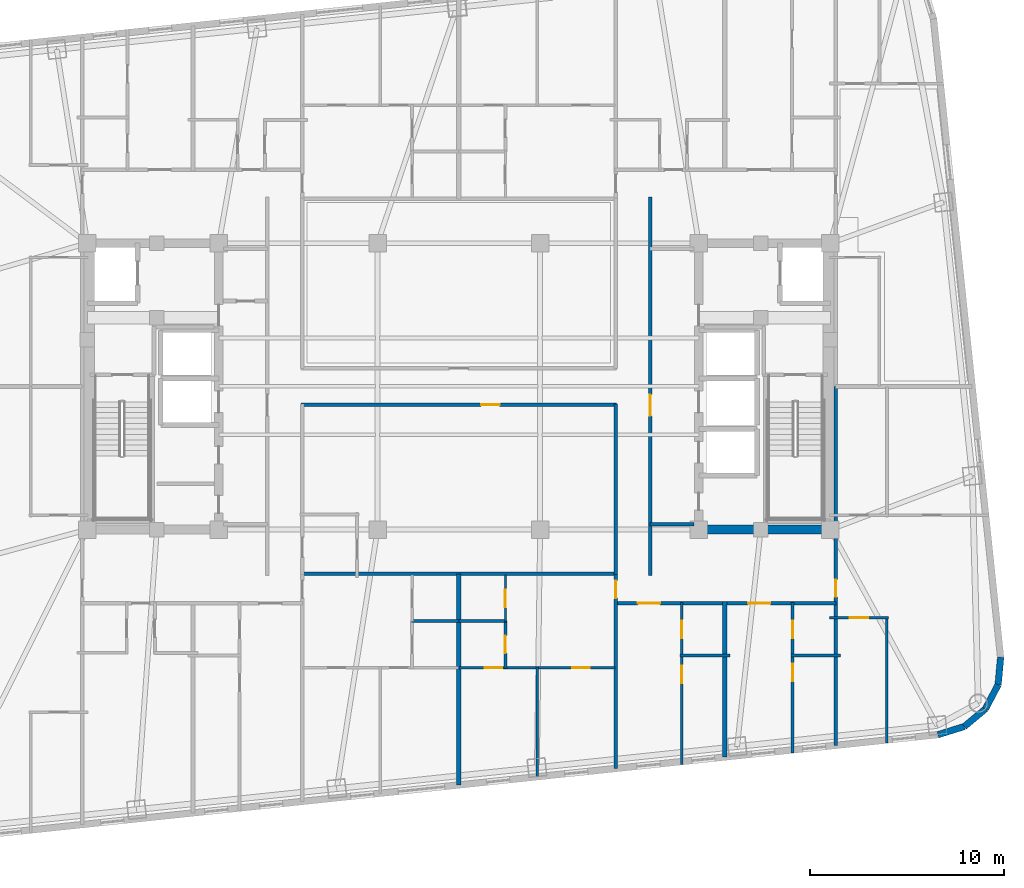
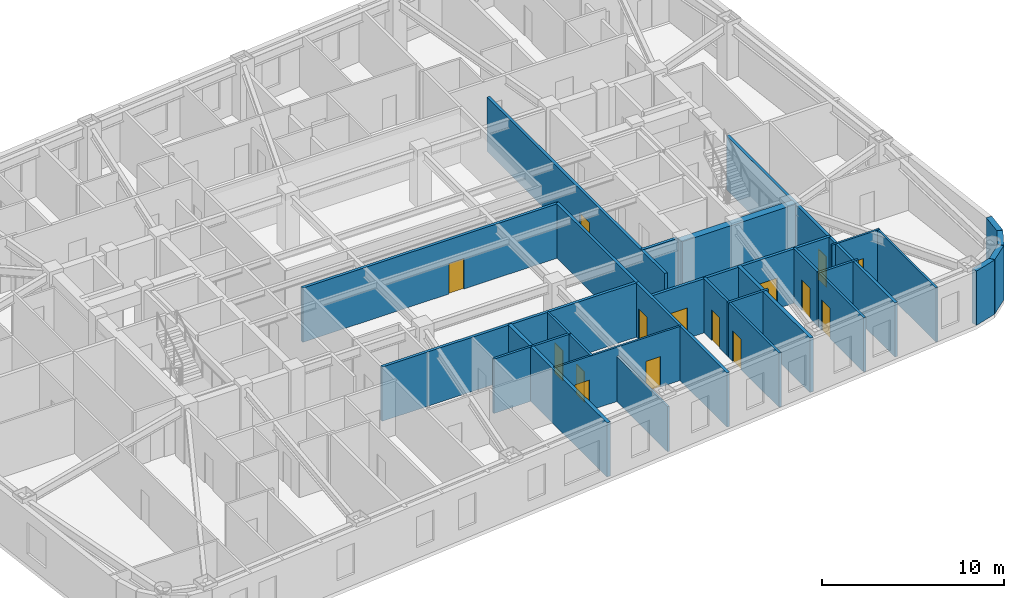
# One storey, part 5 of 11: 29 walls, 15 doors, 15 openings.
"""IFC4 building model written with IfcOpenShell, lengths in metres."""

import ifcopenshell
import ifcopenshell.guid

model = None  # the IFC model being written
_history = None  # IfcOwnerHistory: only IFC2X3 demands one
_inside = {}  # id of a spatial element -> (the spatial element, [elements in it])
_under = {}  # id of a project, library or spatial element -> (it, [spatial elements below it])
_declared = {}  # id of a project -> (the project, [libraries it declares])
_typed = {}  # id of a type object -> (the type object, [elements of that type])
_made_of = {}  # id of a material, layer set ... -> (it, [elements and type objects made of it])


def new_model(schema):
    """Start an empty IFC model of exactly this schema.

    Asked for "IFC4X3", IfcOpenShell would pick the latest addendum, in which some entities
    have other attributes; the version numbers below select the first issue.
    IFC2X3 requires an IfcOwnerHistory on every rooted entity: one is made here for all.
    """
    global model, _history
    if schema == "IFC4X3":
        model = ifcopenshell.file(schema_version=(4, 3, 0, 0))
    else:
        model = ifcopenshell.file(schema=schema)
    _inside.clear()
    _under.clear()
    _declared.clear()
    _typed.clear()
    _made_of.clear()
    _history = None
    if model.schema == "IFC2X3":
        org = make("IfcOrganization", Name="unknown")
        user = make(
            "IfcPersonAndOrganization",
            ThePerson=make("IfcPerson", FamilyName="unknown"),
            TheOrganization=org,
        )
        app = make(
            "IfcApplication",
            ApplicationDeveloper=org,
            Version="unknown",
            ApplicationFullName="unknown",
            ApplicationIdentifier="unknown",
        )
        _history = make(
            "IfcOwnerHistory",
            OwningUser=user,
            OwningApplication=app,
            ChangeAction="ADDED",
            CreationDate=0,
        )
    return model


def make(cls, **values):
    """One entity of the class cls with the attributes given. An attribute that is None is left unset."""
    return model.create_entity(
        cls, **{name: value for name, value in values.items() if value is not None}
    )


def rooted(cls, **values):
    """An entity with a GlobalId (a new one), such as an element, a storey or a relation."""
    return make(cls, GlobalId=ifcopenshell.guid.new(), OwnerHistory=_history, **values)


def si_unit(unit_type, name, prefix=None):
    """IfcSIUnit, for example si_unit("LENGTHUNIT", "METRE", prefix="MILLI")."""
    return make("IfcSIUnit", UnitType=unit_type, Prefix=prefix, Name=name)


def assignment(units):
    """IfcUnitAssignment: the units of a project."""
    return None if units is None else make("IfcUnitAssignment", Units=units)


def point(xyz):
    """IfcCartesianPoint."""
    return None if xyz is None else make("IfcCartesianPoint", Coordinates=xyz)


def direction(xyz):
    """IfcDirection."""
    return None if xyz is None else make("IfcDirection", DirectionRatios=xyz)


def frame(location, z_axis=None, x_axis=None):
    """IfcAxis2Placement3D, a coordinate frame: its origin and axes. An axis left out is left unset."""
    return make(
        "IfcAxis2Placement3D",
        Location=point(location),
        Axis=direction(z_axis),
        RefDirection=direction(x_axis),
    )


def frame_2d(location, x_axis=None):
    """IfcAxis2Placement2D, a coordinate frame in the plane: its origin and x axis."""
    return make(
        "IfcAxis2Placement2D", Location=point(location), RefDirection=direction(x_axis)
    )


def origin():
    """The frame at (0, 0, 0) with its axes left unset."""
    return frame((0.0, 0.0, 0.0))


def place(relative_to, where):
    """IfcLocalPlacement: puts the frame where relative to a parent placement (None: the world)."""
    return make(
        "IfcLocalPlacement", PlacementRelTo=relative_to, RelativePlacement=where
    )


def context(
    kind, dimensions, precision=None, world=None, true_north=None, identifier=None
):
    """IfcGeometricRepresentationContext, for example the 3D "Model" context."""
    return make(
        "IfcGeometricRepresentationContext",
        ContextIdentifier=identifier,
        ContextType=kind,
        CoordinateSpaceDimension=dimensions,
        Precision=precision,
        WorldCoordinateSystem=world,
        TrueNorth=true_north,
    )


def subcontext(parent, identifier, kind, view, scale=None):
    """IfcGeometricRepresentationSubContext, for example "Body" below "Model"."""
    return make(
        "IfcGeometricRepresentationSubContext",
        ContextIdentifier=identifier,
        ContextType=kind,
        ParentContext=parent,
        TargetScale=scale,
        TargetView=view,
    )


def project(units=None, contexts=None):
    """IfcProject with its units and contexts."""
    return rooted(
        "IfcProject",
        Name="project",
        RepresentationContexts=contexts,
        UnitsInContext=assignment(units),
    )


def spatial(cls, under=None, at=None, **own):
    """A site, building, storey or space (cls), placed at a placement, below another one or the project."""
    s = rooted(cls, ObjectPlacement=at, **own)
    if under is not None:
        _under.setdefault(under.id(), (under, []))[1].append(s)
    return s


def profile(cls, at=None, kind="AREA", **sizes):
    """A parametric profile (cls). Its sizes go by their IFC names, for example OverallWidth=200.0."""
    return make(cls, ProfileType=kind, Position=at, **sizes)


def rectangle(**sizes):
    """IfcRectangleProfileDef."""
    return profile("IfcRectangleProfileDef", **sizes)


def extrude(swept, where, along, depth):
    """IfcExtrudedAreaSolid: the profile swept, set in the frame where, extruded along a direction by depth."""
    return make(
        "IfcExtrudedAreaSolid",
        SweptArea=swept,
        Position=where,
        ExtrudedDirection=direction(along),
        Depth=depth,
    )


def shape(context_of_items, identifier, shape_type, items):
    """IfcShapeRepresentation: the items that make up one representation, for example the "Body"."""
    return make(
        "IfcShapeRepresentation",
        ContextOfItems=context_of_items,
        RepresentationIdentifier=identifier,
        RepresentationType=shape_type,
        Items=items,
    )


def material(Name=None, Category=None):
    """IfcMaterial."""
    return make("IfcMaterial", Name=Name, Category=Category)


def layer(
    of_material, thickness, ventilated=None, Name=None, Category=None, Priority=None
):
    """IfcMaterialLayer: one layer of a wall or slab, of a material (None: an air gap)."""
    return make(
        "IfcMaterialLayer",
        Material=of_material,
        LayerThickness=thickness,
        IsVentilated=ventilated,
        Name=Name,
        Category=Category,
        Priority=Priority,
    )


def layer_set(layers, Name=None):
    """IfcMaterialLayerSet."""
    return make("IfcMaterialLayerSet", MaterialLayers=layers, LayerSetName=Name)


def made_of(thing, what):
    """Note that an element or type object is made of a material, layer set ...; save() writes the relation."""
    if what is not None:
        _made_of.setdefault(what.id(), (what, []))[1].append(thing)
    return thing


def type_object(cls, material=None, **own):
    """A type object (cls), such as IfcWallType, which elements share."""
    return made_of(rooted(cls, **own), material)


def element(
    cls,
    number,
    at=None,
    inside=None,
    cuts=None,
    type_object=None,
    material=None,
    context=None,
    identifier="Body",
    shape_type=None,
    held_by="IfcProductDefinitionShape",
    body=None,
    shapes=None,
    **own,
):
    """One element of the class cls, such as IfcWall. Its Tag is "e" and its number.

    at: its placement. inside: the storey or other place that contains it. cuts: it is an
    opening in that element (IfcRelVoidsElement). A single representation is given by context,
    identifier, shape_type and body (its items); several are given by shapes. held_by: the class
    of the entity that holds the representations. save() writes the other relations.
    """
    e = rooted(cls, Tag="e%d" % number, ObjectPlacement=at, **own)
    if body is not None:
        shapes = [shape(context, identifier, shape_type, body)]
    if shapes is not None:
        e.Representation = make(held_by, Representations=shapes)
    if inside is not None:
        _inside.setdefault(inside.id(), (inside, []))[1].append(e)
    if cuts is not None:
        rooted(
            "IfcRelVoidsElement", RelatingBuildingElement=cuts, RelatedOpeningElement=e
        )
    if type_object is not None:
        _typed.setdefault(type_object.id(), (type_object, []))[1].append(e)
    return made_of(e, material)


def fill(opening, filler):
    """IfcRelFillsElement: the door or window that sits in an opening."""
    return rooted(
        "IfcRelFillsElement",
        RelatingOpeningElement=opening,
        RelatedBuildingElement=filler,
    )


def aggregate(whole, parts):
    """IfcRelAggregates: a whole, such as a stair, and the parts it consists of."""
    return rooted("IfcRelAggregates", RelatingObject=whole, RelatedObjects=parts)


def save(model, path):
    """Write the relations noted so far, then the file.

    IfcRelAggregates (storeys below a building ...), IfcRelContainedInSpatialStructure (elements
    in a storey), IfcRelDefinesByType, IfcRelAssociatesMaterial and IfcRelDeclares: one each for
    every whole, place, type object, material and project.
    """
    for whole, parts in _under.values():
        aggregate(whole, parts)
    for where, things in _inside.values():
        rooted(
            "IfcRelContainedInSpatialStructure",
            RelatedElements=things,
            RelatingStructure=where,
        )
    for kind, things in _typed.values():
        rooted("IfcRelDefinesByType", RelatedObjects=things, RelatingType=kind)
    for what, things in _made_of.values():
        rooted("IfcRelAssociatesMaterial", RelatedObjects=things, RelatingMaterial=what)
    for by, libraries in _declared.values():
        rooted("IfcRelDeclares", RelatingContext=by, RelatedDefinitions=libraries)
    model.write(path)


model = new_model("IFC4")

# Units and contexts
model_context = context("Model", 3, precision=1e-05, world=origin(), true_north=direction((0.0, 1.0)))
body_context = subcontext(model_context, "Body", "Model", "MODEL_VIEW")
ifc_project = project(units=[si_unit("LENGTHUNIT", "METRE"), si_unit("AREAUNIT", "SQUARE_METRE"), si_unit("VOLUMEUNIT", "CUBIC_METRE"), si_unit("PLANEANGLEUNIT", "RADIAN"), si_unit("MASSUNIT", "GRAM", prefix="KILO")], contexts=[model_context])

# Site, building, storey
site_placement = place(None, origin())
site = spatial("IfcSite", under=ifc_project, at=site_placement, CompositionType="ELEMENT")
building_placement = place(site_placement, origin())
building = spatial("IfcBuilding", under=site, at=building_placement, Name="Voryun Gate Residences", CompositionType="ELEMENT")
storey_placement = place(building_placement, frame((0.0, 0.0, 183.300048828125)))
storey = spatial("IfcBuildingStorey", under=building, at=storey_placement, Name="L45", CompositionType="ELEMENT", Elevation=183.300048828125)

# Walls
ifc_material_1 = material(Name="Concrete C50/60", Category="concrete")
ifc_layer_1 = layer(ifc_material_1, 0.449951171875, Name="CW_CORE_450")
ifc_layer_set_1 = layer_set([ifc_layer_1], Name="Concrete C50/60")
wall_type_1 = type_object("IfcWallType", Name="CW_CORE_450", PredefinedType="SHEAR", material=ifc_layer_set_1)
wall_1_placement = place(storey_placement, frame((12.175048828125, -7.39990234375, 0.0), z_axis=(0.0, 0.0, 1.0), x_axis=(1.0, 0.0, 0.0)))
element("IfcWall", 1, at=wall_1_placement, inside=storey, type_object=wall_type_1, Name="L45 Core shear wall CW-L45-ES", PredefinedType="SHEAR", context=body_context, shape_type="SweptSolid", body=[
    extrude(rectangle(XDim=7.25, YDim=0.449951171875, at=frame_2d((3.625, 0.0))), origin(), (0.0, 0.0, 1.0), 3.64990234375),
])
ifc_material_2 = material(Name="Gypsum acoustic fireboard")
ifc_layer_2 = layer(ifc_material_2, 0.179931640625, Name="W_CORR_RATED_180")
ifc_layer_set_2 = layer_set([ifc_layer_2], Name="Gypsum acoustic fireboard")
wall_type_2 = type_object("IfcWallType", Name="W_CORR_RATED_180", PredefinedType="PARTITIONING", material=ifc_layer_set_2)
wall_2_placement = place(storey_placement, frame((9.8798828125, -7.1201171875, 0.0), z_axis=(0.0, 0.0, 1.0), x_axis=(1.0, 0.0, 0.0)))
element("IfcWall", 2, at=wall_2_placement, inside=storey, type_object=wall_type_2, Name="Partition wall WP-L45-PLBS-E", PredefinedType="PARTITIONING", context=body_context, shape_type="SweptSolid", body=[
    extrude(rectangle(XDim=2.27001953125, YDim=0.179931640625, at=frame_2d((1.135009765625, 0.0))), origin(), (0.0, 0.0, 1.0), 3.64990234375),
])

# Wall, opening, door
wall_3_placement = place(storey_placement, frame((9.89990234375, -9.780029296875, 0.0), z_axis=(0.0, 0.0, 1.0), x_axis=(0.0, 1.0, 0.0)))
wall_3 = element("IfcWall", 3, at=wall_3_placement, inside=storey, type_object=wall_type_2, Name="Partition wall WP-L45-PLBE-FULL", PredefinedType="PARTITIONING", context=body_context, shape_type="SweptSolid", body=[
    extrude(rectangle(XDim=19.56005859375, YDim=0.179931640625, at=frame_2d((9.780029296875, 0.0))), origin(), (0.0, 0.0, 1.0), 3.64990234375),
])
opening_1_placement = place(wall_3_placement, frame((8.251953125, 0.0, 0.0)))
opening_1 = element("IfcOpeningElement", 4, at=opening_1_placement, cuts=wall_3, Name="Opening D-FD60-2", PredefinedType="OPENING", context=body_context, shape_type="SweptSolid", body=[
    extrude(rectangle(XDim=1.10009765625, YDim=2.050048828125, at=frame_2d((0.550048828125, 1.02490234375))), frame((0.0, 0.099853515625, 0.0), z_axis=(0.0, -1.0, 0.0), x_axis=(1.0, 0.0, 0.0)), (0.0, 0.0, 1.0), 0.199951171875),
])
ifc_material_3 = material(Name="Painted steel fire door", Category="steel")
door_type_1 = type_object("IfcDoorType", Name="DR_FD60_FFLOB_1100", OperationType="NOTDEFINED", PredefinedType="DOOR", material=ifc_material_3)
door_1_placement = place(opening_1_placement, origin())
door_1 = element("IfcDoor", 5, at=door_1_placement, inside=storey, type_object=door_type_1, Name="Door DR-L45-PLBE-COR", OperationType="SINGLE_SWING_RIGHT", OverallHeight=2.050048828125, OverallWidth=1.10009765625, PredefinedType="DOOR", context=body_context, shape_type="SweptSolid", body=[
    extrude(rectangle(XDim=1.10009765625, YDim=2.050048828125, at=frame_2d((0.550048828125, 1.02490234375))), frame((0.0, 0.02490234375, 0.0), z_axis=(0.0, -1.0, 0.0), x_axis=(1.0, 0.0, 0.0)), (0.0, 0.0, 1.0), 0.050048828125),
])
fill(opening_1, door_1)

# Wall
wall_4_placement = place(storey_placement, frame((-8.14990234375, -9.68994140625, 0.0), z_axis=(0.0, 0.0, 1.0), x_axis=(1.0, 0.0, 0.0)))
element("IfcWall", 6, at=wall_4_placement, inside=storey, type_object=wall_type_2, Name="Partition wall WP-L45-Z2S", PredefinedType="PARTITIONING", context=body_context, shape_type="SweptSolid", body=[
    extrude(rectangle(XDim=16.2998046875, YDim=0.179931640625, at=frame_2d((8.14990234375, 0.0))), origin(), (0.0, 0.0, 1.0), 3.64990234375),
])

# Wall, opening, door
wall_5_placement = place(storey_placement, frame((-8.14990234375, -0.93994140625, 0.0), z_axis=(0.0, 0.0, 1.0), x_axis=(1.0, 0.0, 0.0)))
wall_5 = element("IfcWall", 7, at=wall_5_placement, inside=storey, type_object=wall_type_2, Name="Partition wall WP-L45-Z2HS", PredefinedType="PARTITIONING", context=body_context, shape_type="SweptSolid", body=[
    extrude(rectangle(XDim=16.2998046875, YDim=0.179931640625, at=frame_2d((8.14990234375, 0.0))), origin(), (0.0, 0.0, 1.0), 3.64990234375),
])
opening_2_placement = place(wall_5_placement, frame((9.304931640625, 0.0, 0.0)))
opening_2 = element("IfcOpeningElement", 8, at=opening_2_placement, cuts=wall_5, Name="Opening D-INT-1", PredefinedType="OPENING", context=body_context, shape_type="SweptSolid", body=[
    extrude(rectangle(XDim=0.949951171875, YDim=2.050048828125, at=frame_2d((0.47509765625, 1.02490234375))), frame((0.0, 0.099853515625, 0.0), z_axis=(0.0, -1.0, 0.0), x_axis=(1.0, 0.0, 0.0)), (0.0, 0.0, 1.0), 0.199951171875),
])
ifc_material_4 = material(Name="Architectural oak veneer")
door_type_2 = type_object("IfcDoorType", Name="DR_INT_ROOM_950", OperationType="NOTDEFINED", PredefinedType="DOOR", material=ifc_material_4)
door_2_placement = place(opening_2_placement, origin())
door_2 = element("IfcDoor", 9, at=door_2_placement, inside=storey, type_object=door_type_2, Name="Door DR-L45-Z2SH", OperationType="SINGLE_SWING_RIGHT", OverallHeight=2.050048828125, OverallWidth=0.949951171875, PredefinedType="DOOR", context=body_context, shape_type="SweptSolid", body=[
    extrude(rectangle(XDim=0.949951171875, YDim=2.050048828125, at=frame_2d((0.47509765625, 1.02490234375))), frame((0.0, 0.02490234375, 0.0), z_axis=(0.0, -1.0, 0.0), x_axis=(1.0, 0.0, 0.0)), (0.0, 0.0, 1.0), 0.050048828125),
])
fill(opening_2, door_2)

# Wall
wall_6_placement = place(storey_placement, frame((8.10009765625, -9.72998046875, 0.0), z_axis=(0.0, 0.0, 1.0), x_axis=(0.0, 1.0, 0.0)))
element("IfcWall", 10, at=wall_6_placement, inside=storey, type_object=wall_type_2, Name="Partition wall WP-L45-Z2ER2", PredefinedType="PARTITIONING", context=body_context, shape_type="SweptSolid", body=[
    extrude(rectangle(XDim=8.81005859375, YDim=0.179931640625, at=frame_2d((4.405029296875, 0.0))), origin(), (0.0, 0.0, 1.0), 3.64990234375),
])

# Wall, openings, doors
wall_7_placement = place(storey_placement, frame((8.080078125, -11.199951171875, 0.0), z_axis=(0.0, 0.0, 1.0), x_axis=(1.0, 0.0, 0.0)))
wall_7 = element("IfcWall", 11, at=wall_7_placement, inside=storey, type_object=wall_type_2, Name="Partition wall WP-L45-SCORR-E", PredefinedType="PARTITIONING", context=body_context, shape_type="SweptSolid", body=[
    extrude(rectangle(XDim=11.419921875, YDim=0.179931640625, at=frame_2d((5.7099609375, 0.0))), origin(), (0.0, 0.0, 1.0), 3.64990234375),
])
opening_3_placement = place(wall_7_placement, frame((1.174560546875, 0.0, 0.0)))
opening_3 = element("IfcOpeningElement", 12, at=opening_3_placement, cuts=wall_7, Name="Opening D-UNIT-1", PredefinedType="OPENING", context=body_context, shape_type="SweptSolid", body=[
    extrude(rectangle(XDim=1.14990234375, YDim=2.050048828125, at=frame_2d((0.574951171875, 1.02490234375))), frame((0.0, 0.099853515625, 0.0), z_axis=(0.0, -1.0, 0.0), x_axis=(1.0, 0.0, 0.0)), (0.0, 0.0, 1.0), 0.199951171875),
])
opening_4_placement = place(wall_7_placement, frame((6.86962890625, 0.0, 0.0)))
opening_4 = element("IfcOpeningElement", 13, at=opening_4_placement, cuts=wall_7, Name="Opening D-UNIT-1", PredefinedType="OPENING", context=body_context, shape_type="SweptSolid", body=[
    extrude(rectangle(XDim=1.14990234375, YDim=2.050048828125, at=frame_2d((0.574951171875, 1.02490234375))), frame((0.0, 0.099853515625, 0.0), z_axis=(0.0, -1.0, 0.0), x_axis=(1.0, 0.0, 0.0)), (0.0, 0.0, 1.0), 0.199951171875),
])
ifc_material_5 = material(Name="Armoured timber-clad fire door", Category="wood")
door_type_3 = type_object("IfcDoorType", Name="DR_UNIT_ENTRY_1150", OperationType="NOTDEFINED", PredefinedType="DOOR", material=ifc_material_5)
door_3_placement = place(opening_3_placement, origin())
door_3 = element("IfcDoor", 14, at=door_3_placement, inside=storey, type_object=door_type_3, Name="Door DR-L45-SENT-4", OperationType="SINGLE_SWING_LEFT", OverallHeight=2.050048828125, OverallWidth=1.14990234375, PredefinedType="DOOR", context=body_context, shape_type="SweptSolid", body=[
    extrude(rectangle(XDim=1.14990234375, YDim=2.050048828125, at=frame_2d((0.574951171875, 1.02490234375))), frame((0.0, 0.02490234375, 0.0), z_axis=(0.0, -1.0, 0.0), x_axis=(1.0, 0.0, 0.0)), (0.0, 0.0, 1.0), 0.050048828125),
])
fill(opening_3, door_3)
door_4_placement = place(opening_4_placement, origin())
door_4 = element("IfcDoor", 15, at=door_4_placement, inside=storey, type_object=door_type_3, Name="Door DR-L45-SENT-5", OperationType="SINGLE_SWING_RIGHT", OverallHeight=2.050048828125, OverallWidth=1.14990234375, PredefinedType="DOOR", context=body_context, shape_type="SweptSolid", body=[
    extrude(rectangle(XDim=1.14990234375, YDim=2.050048828125, at=frame_2d((0.574951171875, 1.02490234375))), frame((0.0, 0.02490234375, 0.0), z_axis=(0.0, -1.0, 0.0), x_axis=(1.0, 0.0, 0.0)), (0.0, 0.0, 1.0), 0.050048828125),
])
fill(opening_4, door_4)

# Wall, opening, door
wall_8_placement = place(storey_placement, frame((8.10009765625, -19.75390625, 0.0), z_axis=(0.0, 0.0, 1.0), x_axis=(0.0, 1.0, 0.0)))
wall_8 = element("IfcWall", 16, at=wall_8_placement, inside=storey, type_object=wall_type_2, Name="Partition wall WP-L45-SZV-2", PredefinedType="PARTITIONING", context=body_context, shape_type="SweptSolid", body=[
    extrude(rectangle(XDim=10.06396484375, YDim=0.179931640625, at=frame_2d((5.031982421875, 0.0))), origin(), (0.0, 0.0, 1.0), 3.64990234375),
])
opening_5_placement = place(wall_8_placement, frame((8.813720703125, 0.0, 0.0)))
opening_5 = element("IfcOpeningElement", 17, at=opening_5_placement, cuts=wall_8, Name="Opening D-INT-2", PredefinedType="OPENING", context=body_context, shape_type="SweptSolid", body=[
    extrude(rectangle(XDim=0.89990234375, YDim=2.050048828125, at=frame_2d((0.449951171875, 1.02490234375))), frame((0.0, 0.099853515625, 0.0), z_axis=(0.0, -1.0, 0.0), x_axis=(1.0, 0.0, 0.0)), (0.0, 0.0, 1.0), 0.199951171875),
])
ifc_material_6 = material(Name="Architectural oak veneer")
door_type_4 = type_object("IfcDoorType", Name="DR_INT_BATH_900", OperationType="NOTDEFINED", PredefinedType="DOOR", material=ifc_material_6)
door_5_placement = place(opening_5_placement, origin())
door_5 = element("IfcDoor", 18, at=door_5_placement, inside=storey, type_object=door_type_4, Name="Door DR-L45-SZENT-2", OperationType="SINGLE_SWING_RIGHT", OverallHeight=2.050048828125, OverallWidth=0.89990234375, PredefinedType="DOOR", context=body_context, shape_type="SweptSolid", body=[
    extrude(rectangle(XDim=0.89990234375, YDim=2.050048828125, at=frame_2d((0.449951171875, 1.02490234375))), frame((0.0, 0.02490234375, 0.0), z_axis=(0.0, -1.0, 0.0), x_axis=(1.0, 0.0, 0.0)), (0.0, 0.0, 1.0), 0.050048828125),
])
fill(opening_5, door_5)

wall_9_placement = place(storey_placement, frame((19.469970703125, -18.55859375, 0.0), z_axis=(0.0, 0.0, 1.0), x_axis=(0.0, 1.0, 0.0)))
wall_9 = element("IfcWall", 19, at=wall_9_placement, inside=storey, type_object=wall_type_2, Name="Partition wall WP-L45-ECOR1", PredefinedType="PARTITIONING", context=body_context, shape_type="SweptSolid", body=[
    extrude(rectangle(XDim=18.55859375, YDim=0.179931640625, at=frame_2d((9.279296875, 0.0))), origin(), (0.0, 0.0, 1.0), 3.64990234375),
])
opening_6_placement = place(wall_9_placement, frame((7.6787109375, 0.0, 0.0)))
opening_6 = element("IfcOpeningElement", 20, at=opening_6_placement, cuts=wall_9, Name="Opening D-INT-2", PredefinedType="OPENING", context=body_context, shape_type="SweptSolid", body=[
    extrude(rectangle(XDim=0.89990234375, YDim=2.050048828125, at=frame_2d((0.449951171875, 1.02490234375))), frame((0.0, 0.099853515625, 0.0), z_axis=(0.0, -1.0, 0.0), x_axis=(1.0, 0.0, 0.0)), (0.0, 0.0, 1.0), 0.199951171875),
])
door_6_placement = place(opening_6_placement, origin())
door_6 = element("IfcDoor", 21, at=door_6_placement, inside=storey, type_object=door_type_4, Name="Door DR-L45-EE1", OperationType="SINGLE_SWING_LEFT", OverallHeight=2.050048828125, OverallWidth=0.89990234375, PredefinedType="DOOR", context=body_context, shape_type="SweptSolid", body=[
    extrude(rectangle(XDim=0.89990234375, YDim=2.050048828125, at=frame_2d((0.449951171875, 1.02490234375))), frame((0.0, 0.02490234375, 0.0), z_axis=(0.0, -1.0, 0.0), x_axis=(1.0, 0.0, 0.0)), (0.0, 0.0, 1.0), 0.050048828125),
])
fill(opening_6, door_6)

# Walls
ifc_material_7 = material(Name="Charcoal terracotta masonry", Category="masonry")
ifc_layer_3 = layer(ifc_material_7, 0.340087890625, Name="W_EXT_TERRACOTTA_340")
ifc_layer_set_3 = layer_set([ifc_layer_3], Name="Charcoal terracotta masonry")
wall_type_3 = type_object("IfcWallType", Name="W_EXT_TERRACOTTA_340", PredefinedType="ELEMENTEDWALL", material=ifc_layer_set_3)
wall_10_placement = place(storey_placement, frame((28.001220703125, -13.9951171875, 0.0), z_axis=(0.0, 0.0, 1.0), x_axis=(-0.091534682358, -0.995801888894, 0.0)))
element("IfcWall", 22, at=wall_10_placement, inside=storey, type_object=wall_type_3, Name="Exterior wall WEXT-L45-17", PredefinedType="ELEMENTEDWALL", context=body_context, shape_type="SweptSolid", body=[
    extrude(rectangle(XDim=1.432373046875, YDim=0.340087890625, at=frame_2d((0.71630859375, 0.0))), origin(), (0.0, 0.0, 1.0), 3.64990234375),
])
for number, where, z_axis, x_axis, name in (
    (23, (27.8701171875, -15.42138671875, 0.0), (0.0, 0.0, 1.0), (-0.465682431293, -0.884951904447, 0.0), "Exterior wall WEXT-L45-18"),
    (24, (27.211181640625, -16.673583984375, 0.0), (0.0, 0.0, 1.0), (-0.768758372808, -0.639539337522, 0.0), "Exterior wall WEXT-L45-19"),
):
    element("IfcWall", number, at=place(storey_placement, frame(where, z_axis=z_axis, x_axis=x_axis)), inside=storey, type_object=wall_type_3, Name=name, PredefinedType="ELEMENTEDWALL", context=body_context, shape_type="SweptSolid", body=[
        extrude(rectangle(XDim=1.4150390625, YDim=0.340087890625, at=frame_2d((0.70751953125, 0.0))), origin(), (0.0, 0.0, 1.0), 3.64990234375),
    ])
wall_11_placement = place(storey_placement, frame((26.123291015625, -17.57861328125, 0.0), z_axis=(0.0, 0.0, 1.0), x_axis=(-0.955042500381, -0.296468923271, 0.0)))
element("IfcWall", 25, at=wall_11_placement, inside=storey, type_object=wall_type_3, Name="Exterior wall WEXT-L45-20", PredefinedType="ELEMENTEDWALL", context=body_context, shape_type="SweptSolid", body=[
    extrude(rectangle(XDim=1.43212890625, YDim=0.340087890625, at=frame_2d((0.716064453125, 0.0))), origin(), (0.0, 0.0, 1.0), 3.64990234375),
])
ifc_material_8 = material(Name="Concrete C40/50", Category="concrete")
ifc_layer_4 = layer(ifc_material_8, 0.219970703125, Name="W_PARTY_ACOUSTIC_220")
ifc_layer_set_4 = layer_set([ifc_layer_4], Name="Concrete C40/50")
wall_type_4 = type_object("IfcWallType", Name="W_PARTY_ACOUSTIC_220", PredefinedType="PARTITIONING", material=ifc_layer_set_4)
wall_12_placement = place(storey_placement, frame((13.739990234375, -19.160888671875, 0.0), z_axis=(0.0, 0.0, 1.0), x_axis=(0.0, 1.0, 0.0)))
element("IfcWall", 26, at=wall_12_placement, inside=storey, type_object=wall_type_4, Name="Partition wall WP-L45-SPTY-4", PredefinedType="PARTITIONING", context=body_context, shape_type="SweptSolid", body=[
    extrude(rectangle(XDim=8.040771484375, YDim=0.219970703125, at=frame_2d((4.0205078125, 0.0))), origin(), (0.0, 0.0, 1.0), 3.64990234375),
])
wall_13_placement = place(storey_placement, frame((0.0, -20.60498046875, 0.0), z_axis=(0.0, 0.0, 1.0), x_axis=(0.0, 1.0, 0.0)))
element("IfcWall", 27, at=wall_13_placement, inside=storey, type_object=wall_type_4, Name="Partition wall WP-L45-SZMID", PredefinedType="PARTITIONING", context=body_context, shape_type="SweptSolid", body=[
    extrude(rectangle(XDim=10.9150390625, YDim=0.219970703125, at=frame_2d((5.45751953125, 0.0))), origin(), (0.0, 0.0, 1.0), 3.64990234375),
])

# Wall, openings, doors
ifc_material_9 = material(Name="Gypsum acoustic partition")
ifc_layer_5 = layer(ifc_material_9, 0.125, Name="W_UNIT_PART_125")
ifc_layer_set_5 = layer_set([ifc_layer_5], Name="Gypsum acoustic partition")
wall_type_5 = type_object("IfcWallType", Name="W_UNIT_PART_125", PredefinedType="PARTITIONING", material=ifc_layer_set_5)
wall_14_placement = place(storey_placement, frame((0.02001953125, -14.530029296875, 0.0), z_axis=(0.0, 0.0, 1.0), x_axis=(1.0, 0.0, 0.0)))
wall_14 = element("IfcWall", 28, at=wall_14_placement, inside=storey, type_object=wall_type_5, Name="Partition wall WP-L45-SC2-HZ", PredefinedType="PARTITIONING", context=body_context, shape_type="SweptSolid", body=[
    extrude(rectangle(XDim=8.06005859375, YDim=0.125, at=frame_2d((4.030029296875, 0.0))), origin(), (0.0, 0.0, 1.0), 3.64990234375),
])
opening_7_placement = place(wall_14_placement, frame((1.3232421875, 0.0, 0.0)))
opening_7 = element("IfcOpeningElement", 29, at=opening_7_placement, cuts=wall_14, Name="Opening D-INT-2", PredefinedType="OPENING", context=body_context, shape_type="SweptSolid", body=[
    extrude(rectangle(XDim=0.89990234375, YDim=2.050048828125, at=frame_2d((0.449951171875, 1.02490234375))), frame((0.0, 0.072509765625, 0.0), z_axis=(0.0, -1.0, 0.0), x_axis=(1.0, 0.0, 0.0)), (0.0, 0.0, 1.0), 0.14501953125),
])
opening_8_placement = place(wall_14_placement, frame((5.8369140625, 0.0, 0.0)))
opening_8 = element("IfcOpeningElement", 30, at=opening_8_placement, cuts=wall_14, Name="Opening D-INT-2", PredefinedType="OPENING", context=body_context, shape_type="SweptSolid", body=[
    extrude(rectangle(XDim=0.89990234375, YDim=2.050048828125, at=frame_2d((0.449951171875, 1.02490234375))), frame((0.0, 0.072509765625, 0.0), z_axis=(0.0, -1.0, 0.0), x_axis=(1.0, 0.0, 0.0)), (0.0, 0.0, 1.0), 0.14501953125),
])
door_7_placement = place(opening_7_placement, origin())
door_7 = element("IfcDoor", 31, at=door_7_placement, inside=storey, type_object=door_type_4, Name="Door DR-L45-SC2-DMB", OperationType="SINGLE_SWING_LEFT", OverallHeight=2.050048828125, OverallWidth=0.89990234375, PredefinedType="DOOR", context=body_context, shape_type="SweptSolid", body=[
    extrude(rectangle(XDim=0.89990234375, YDim=2.050048828125, at=frame_2d((0.449951171875, 1.02490234375))), frame((0.0, 0.02490234375, 0.0), z_axis=(0.0, -1.0, 0.0), x_axis=(1.0, 0.0, 0.0)), (0.0, 0.0, 1.0), 0.050048828125),
])
fill(opening_7, door_7)
door_8_placement = place(opening_8_placement, origin())
door_8 = element("IfcDoor", 32, at=door_8_placement, inside=storey, type_object=door_type_4, Name="Door DR-L45-SC2-DBD2", OperationType="SINGLE_SWING_RIGHT", OverallHeight=2.050048828125, OverallWidth=0.89990234375, PredefinedType="DOOR", context=body_context, shape_type="SweptSolid", body=[
    extrude(rectangle(XDim=0.89990234375, YDim=2.050048828125, at=frame_2d((0.449951171875, 1.02490234375))), frame((0.0, 0.02490234375, 0.0), z_axis=(0.0, -1.0, 0.0), x_axis=(1.0, 0.0, 0.0)), (0.0, 0.0, 1.0), 0.050048828125),
])
fill(opening_8, door_8)

# Wall, opening, door
wall_15_placement = place(storey_placement, frame((2.409912109375, -12.159912109375, 0.0), z_axis=(0.0, 0.0, 1.0), x_axis=(0.0, 1.0, 0.0)))
wall_15 = element("IfcWall", 33, at=wall_15_placement, inside=storey, type_object=wall_type_5, Name="Partition wall WP-L45-SC2-VK1", PredefinedType="PARTITIONING", context=body_context, shape_type="SweptSolid", body=[
    extrude(rectangle(XDim=2.409912109375, YDim=0.125, at=frame_2d((1.205078125, 0.0))), origin(), (0.0, 0.0, 1.0), 3.64990234375),
])
opening_9_placement = place(wall_15_placement, frame((0.7548828125, 0.0, 0.0)))
opening_9 = element("IfcOpeningElement", 34, at=opening_9_placement, cuts=wall_15, Name="Opening D-INT-2", PredefinedType="OPENING", context=body_context, shape_type="SweptSolid", body=[
    extrude(rectangle(XDim=0.89990234375, YDim=2.050048828125, at=frame_2d((0.449951171875, 1.02490234375))), frame((0.0, 0.072509765625, 0.0), z_axis=(0.0, -1.0, 0.0), x_axis=(1.0, 0.0, 0.0)), (0.0, 0.0, 1.0), 0.14501953125),
])
door_9_placement = place(opening_9_placement, origin())
door_9 = element("IfcDoor", 35, at=door_9_placement, inside=storey, type_object=door_type_4, Name="Door DR-L45-SC2-DK", OperationType="SINGLE_SWING_LEFT", OverallHeight=2.050048828125, OverallWidth=0.89990234375, PredefinedType="DOOR", context=body_context, shape_type="SweptSolid", body=[
    extrude(rectangle(XDim=0.89990234375, YDim=2.050048828125, at=frame_2d((0.449951171875, 1.02490234375))), frame((0.0, 0.02490234375, 0.0), z_axis=(0.0, -1.0, 0.0), x_axis=(1.0, 0.0, 0.0)), (0.0, 0.0, 1.0), 0.050048828125),
])
fill(opening_9, door_9)

# Wall
wall_16_placement = place(storey_placement, frame((4.050048828125, -20.179443359375, 0.0), z_axis=(0.0, 0.0, 1.0), x_axis=(0.0, 1.0, 0.0)))
element("IfcWall", 36, at=wall_16_placement, inside=storey, type_object=wall_type_5, Name="Partition wall WP-L45-SC2-VBD", PredefinedType="PARTITIONING", context=body_context, shape_type="SweptSolid", body=[
    extrude(rectangle(XDim=5.689453125, YDim=0.125, at=frame_2d((2.8447265625, 0.0))), origin(), (0.0, 0.0, 1.0), 3.0400390625),
])

# Wall, opening, door
wall_17_placement = place(storey_placement, frame((19.14990234375, -11.966064453125, 0.0), z_axis=(0.0, 0.0, 1.0), x_axis=(1.0, 0.0, 0.0)))
wall_17 = element("IfcWall", 37, at=wall_17_placement, inside=storey, type_object=wall_type_5, Name="Partition wall WP-L45-E1-IKA", PredefinedType="PARTITIONING", context=body_context, shape_type="SweptSolid", body=[
    extrude(rectangle(XDim=3.050048828125, YDim=0.125, at=frame_2d((1.52490234375, 0.0))), origin(), (0.0, 0.0, 1.0), 3.64990234375),
])
opening_10_placement = place(wall_17_placement, frame((1.050048828125, 0.0, 0.0)))
opening_10 = element("IfcOpeningElement", 38, at=opening_10_placement, cuts=wall_17, Name="Opening D-INT-1", PredefinedType="OPENING", context=body_context, shape_type="SweptSolid", body=[
    extrude(rectangle(XDim=0.949951171875, YDim=2.050048828125, at=frame_2d((0.47509765625, 1.02490234375))), frame((0.0, 0.072509765625, 0.0), z_axis=(0.0, -1.0, 0.0), x_axis=(1.0, 0.0, 0.0)), (0.0, 0.0, 1.0), 0.14501953125),
])
door_10_placement = place(opening_10_placement, origin())
door_10 = element("IfcDoor", 39, at=door_10_placement, inside=storey, type_object=door_type_2, Name="Door DR-L45-E1-DK", OperationType="SINGLE_SWING_LEFT", OverallHeight=2.050048828125, OverallWidth=0.949951171875, PredefinedType="DOOR", context=body_context, shape_type="SweptSolid", body=[
    extrude(rectangle(XDim=0.949951171875, YDim=2.050048828125, at=frame_2d((0.47509765625, 1.02490234375))), frame((0.0, 0.02490234375, 0.0), z_axis=(0.0, -1.0, 0.0), x_axis=(1.0, 0.0, 0.0)), (0.0, 0.0, 1.0), 0.050048828125),
])
fill(opening_10, door_10)

# Walls
wall_18_placement = place(storey_placement, frame((22.1201171875, -18.430908203125, 0.0), z_axis=(0.0, 0.0, 1.0), x_axis=(0.0, 1.0, 0.0)))
element("IfcWall", 40, at=wall_18_placement, inside=storey, type_object=wall_type_5, Name="Partition wall WP-L45-E1-VTA", PredefinedType="PARTITIONING", context=body_context, shape_type="SweptSolid", body=[
    extrude(rectangle(XDim=6.544921875, YDim=0.125, at=frame_2d((3.2724609375, 0.0))), origin(), (0.0, 0.0, 1.0), 3.64990234375),
])
ifc_material_10 = material(Name="Gypsum moisture-resistant partition")
ifc_layer_6 = layer(ifc_material_10, 0.14990234375, Name="W_WET_PLUMB_150")
ifc_layer_set_6 = layer_set([ifc_layer_6], Name="Gypsum moisture-resistant partition")
wall_type_6 = type_object("IfcWallType", Name="W_WET_PLUMB_150", PredefinedType="PLUMBINGWALL", material=ifc_layer_set_6)
wall_19_placement = place(storey_placement, frame((11.43896484375, -13.89990234375, 0.0), z_axis=(0.0, 0.0, 1.0), x_axis=(1.0, 0.0, 0.0)))
element("IfcWall", 41, at=wall_19_placement, inside=storey, type_object=wall_type_6, Name="Partition wall WP-L45-S4-SKB", PredefinedType="PLUMBINGWALL", context=body_context, shape_type="SweptSolid", body=[
    extrude(rectangle(XDim=2.56103515625, YDim=0.14990234375, at=frame_2d((1.280517578125, 0.0))), origin(), (0.0, 0.0, 1.0), 3.64990234375),
])

# Wall, opening, door
wall_20_placement = place(storey_placement, frame((11.51904296875, -19.545166015625, 0.0), z_axis=(0.0, 0.0, 1.0), x_axis=(0.0, 1.0, 0.0)))
wall_20 = element("IfcWall", 42, at=wall_20_placement, inside=storey, type_object=wall_type_6, Name="Partition wall WP-L45-S4-SVT1", PredefinedType="PLUMBINGWALL", context=body_context, shape_type="SweptSolid", body=[
    extrude(rectangle(XDim=5.68505859375, YDim=0.14990234375, at=frame_2d((2.842529296875, 0.0))), origin(), (0.0, 0.0, 1.0), 3.64990234375),
])
opening_11_placement = place(wall_20_placement, frame((4.2119140625, 0.0, 0.0)))
opening_11 = element("IfcOpeningElement", 43, at=opening_11_placement, cuts=wall_20, Name="Opening D-INT-2", PredefinedType="OPENING", context=body_context, shape_type="SweptSolid", body=[
    extrude(rectangle(XDim=0.89990234375, YDim=2.050048828125, at=frame_2d((0.449951171875, 1.02490234375))), frame((0.0, 0.0849609375, 0.0), z_axis=(0.0, -1.0, 0.0), x_axis=(1.0, 0.0, 0.0)), (0.0, 0.0, 1.0), 0.169921875),
])
door_11_placement = place(opening_11_placement, origin())
door_11 = element("IfcDoor", 44, at=door_11_placement, inside=storey, type_object=door_type_4, Name="Door DR-L45-S4-DK", OperationType="SINGLE_SWING_LEFT", OverallHeight=2.050048828125, OverallWidth=0.89990234375, PredefinedType="DOOR", context=body_context, shape_type="SweptSolid", body=[
    extrude(rectangle(XDim=0.89990234375, YDim=2.050048828125, at=frame_2d((0.449951171875, 1.02490234375))), frame((0.0, 0.02490234375, 0.0), z_axis=(0.0, -1.0, 0.0), x_axis=(1.0, 0.0, 0.0)), (0.0, 0.0, 1.0), 0.050048828125),
])
fill(opening_11, door_11)

wall_21_placement = place(storey_placement, frame((11.51904296875, -13.93994140625, 0.0), z_axis=(0.0, 0.0, 1.0), x_axis=(0.0, 1.0, 0.0)))
wall_21 = element("IfcWall", 45, at=wall_21_placement, inside=storey, type_object=wall_type_6, Name="Partition wall WP-L45-S4-SVT2", PredefinedType="PLUMBINGWALL", context=body_context, shape_type="SweptSolid", body=[
    extrude(rectangle(XDim=2.760009765625, YDim=0.14990234375, at=frame_2d((1.3798828125, 0.0))), origin(), (0.0, 0.0, 1.0), 3.64990234375),
])
opening_12_placement = place(wall_21_placement, frame((0.929931640625, 0.0, 0.0)))
opening_12 = element("IfcOpeningElement", 46, at=opening_12_placement, cuts=wall_21, Name="Opening D-INT-2", PredefinedType="OPENING", context=body_context, shape_type="SweptSolid", body=[
    extrude(rectangle(XDim=0.89990234375, YDim=2.050048828125, at=frame_2d((0.449951171875, 1.02490234375))), frame((0.0, 0.0849609375, 0.0), z_axis=(0.0, -1.0, 0.0), x_axis=(1.0, 0.0, 0.0)), (0.0, 0.0, 1.0), 0.169921875),
])
door_12_placement = place(opening_12_placement, origin())
door_12 = element("IfcDoor", 47, at=door_12_placement, inside=storey, type_object=door_type_4, Name="Door DR-L45-S4-DB", OperationType="SINGLE_SWING_RIGHT", OverallHeight=2.050048828125, OverallWidth=0.89990234375, PredefinedType="DOOR", context=body_context, shape_type="SweptSolid", body=[
    extrude(rectangle(XDim=0.89990234375, YDim=2.050048828125, at=frame_2d((0.449951171875, 1.02490234375))), frame((0.0, 0.02490234375, 0.0), z_axis=(0.0, -1.0, 0.0), x_axis=(1.0, 0.0, 0.0)), (0.0, 0.0, 1.0), 0.050048828125),
])
fill(opening_12, door_12)

# Wall
wall_22_placement = place(storey_placement, frame((17.169921875, -13.89990234375, 0.0), z_axis=(0.0, 0.0, 1.0), x_axis=(1.0, 0.0, 0.0)))
element("IfcWall", 48, at=wall_22_placement, inside=storey, type_object=wall_type_6, Name="Partition wall WP-L45-S5-SKB", PredefinedType="PLUMBINGWALL", context=body_context, shape_type="SweptSolid", body=[
    extrude(rectangle(XDim=2.550048828125, YDim=0.14990234375, at=frame_2d((1.27490234375, 0.0))), origin(), (0.0, 0.0, 1.0), 3.64990234375),
])

# Wall, opening, door
wall_23_placement = place(storey_placement, frame((17.25, -18.94287109375, 0.0), z_axis=(0.0, 0.0, 1.0), x_axis=(0.0, 1.0, 0.0)))
wall_23 = element("IfcWall", 49, at=wall_23_placement, inside=storey, type_object=wall_type_6, Name="Partition wall WP-L45-S5-SVT1", PredefinedType="PLUMBINGWALL", context=body_context, shape_type="SweptSolid", body=[
    extrude(rectangle(XDim=5.082763671875, YDim=0.14990234375, at=frame_2d((2.54150390625, 0.0))), origin(), (0.0, 0.0, 1.0), 3.64990234375),
])
opening_13_placement = place(wall_23_placement, frame((3.718017578125, 0.0, 0.0)))
opening_13 = element("IfcOpeningElement", 50, at=opening_13_placement, cuts=wall_23, Name="Opening D-INT-2", PredefinedType="OPENING", context=body_context, shape_type="SweptSolid", body=[
    extrude(rectangle(XDim=0.89990234375, YDim=2.050048828125, at=frame_2d((0.449951171875, 1.02490234375))), frame((0.0, 0.0849609375, 0.0), z_axis=(0.0, -1.0, 0.0), x_axis=(1.0, 0.0, 0.0)), (0.0, 0.0, 1.0), 0.169921875),
])
door_13_placement = place(opening_13_placement, origin())
door_13 = element("IfcDoor", 51, at=door_13_placement, inside=storey, type_object=door_type_4, Name="Door DR-L45-S5-DK", OperationType="SINGLE_SWING_LEFT", OverallHeight=2.050048828125, OverallWidth=0.89990234375, PredefinedType="DOOR", context=body_context, shape_type="SweptSolid", body=[
    extrude(rectangle(XDim=0.89990234375, YDim=2.050048828125, at=frame_2d((0.449951171875, 1.02490234375))), frame((0.0, 0.02490234375, 0.0), z_axis=(0.0, -1.0, 0.0), x_axis=(1.0, 0.0, 0.0)), (0.0, 0.0, 1.0), 0.050048828125),
])
fill(opening_13, door_13)

wall_24_placement = place(storey_placement, frame((17.25, -13.93994140625, 0.0), z_axis=(0.0, 0.0, 1.0), x_axis=(0.0, 1.0, 0.0)))
wall_24 = element("IfcWall", 52, at=wall_24_placement, inside=storey, type_object=wall_type_6, Name="Partition wall WP-L45-S5-SVT2", PredefinedType="PLUMBINGWALL", context=body_context, shape_type="SweptSolid", body=[
    extrude(rectangle(XDim=2.760009765625, YDim=0.14990234375, at=frame_2d((1.3798828125, 0.0))), origin(), (0.0, 0.0, 1.0), 3.64990234375),
])
opening_14_placement = place(wall_24_placement, frame((0.929931640625, 0.0, 0.0)))
opening_14 = element("IfcOpeningElement", 53, at=opening_14_placement, cuts=wall_24, Name="Opening D-INT-2", PredefinedType="OPENING", context=body_context, shape_type="SweptSolid", body=[
    extrude(rectangle(XDim=0.89990234375, YDim=2.050048828125, at=frame_2d((0.449951171875, 1.02490234375))), frame((0.0, 0.0849609375, 0.0), z_axis=(0.0, -1.0, 0.0), x_axis=(1.0, 0.0, 0.0)), (0.0, 0.0, 1.0), 0.169921875),
])
door_14_placement = place(opening_14_placement, origin())
door_14 = element("IfcDoor", 54, at=door_14_placement, inside=storey, type_object=door_type_4, Name="Door DR-L45-S5-DB", OperationType="SINGLE_SWING_RIGHT", OverallHeight=2.050048828125, OverallWidth=0.89990234375, PredefinedType="DOOR", context=body_context, shape_type="SweptSolid", body=[
    extrude(rectangle(XDim=0.89990234375, YDim=2.050048828125, at=frame_2d((0.449951171875, 1.02490234375))), frame((0.0, 0.02490234375, 0.0), z_axis=(0.0, -1.0, 0.0), x_axis=(1.0, 0.0, 0.0)), (0.0, 0.0, 1.0), 0.050048828125),
])
fill(opening_14, door_14)

# Wall
wall_25_placement = place(storey_placement, frame((-2.449951171875, -12.1298828125, 0.0), z_axis=(0.0, 0.0, 1.0), x_axis=(1.0, 0.0, 0.0)))
element("IfcWall", 55, at=wall_25_placement, inside=storey, type_object=wall_type_6, Name="Partition wall WP-L45-SC1-HKB", PredefinedType="PLUMBINGWALL", context=body_context, shape_type="SweptSolid", body=[
    extrude(rectangle(XDim=2.429931640625, YDim=0.14990234375, at=frame_2d((1.21484375, 0.0))), origin(), (0.0, 0.0, 1.0), 3.64990234375),
])

# Wall, opening, door
wall_26_placement = place(storey_placement, frame((2.409912109375, -14.570068359375, 0.0), z_axis=(0.0, 0.0, 1.0), x_axis=(0.0, 1.0, 0.0)))
wall_26 = element("IfcWall", 56, at=wall_26_placement, inside=storey, type_object=wall_type_6, Name="Partition wall WP-L45-SC2-VK2", PredefinedType="PLUMBINGWALL", context=body_context, shape_type="SweptSolid", body=[
    extrude(rectangle(XDim=2.469970703125, YDim=0.14990234375, at=frame_2d((1.23486328125, 0.0))), origin(), (0.0, 0.0, 1.0), 3.64990234375),
])
opening_15_placement = place(wall_26_placement, frame((0.784912109375, 0.0, 0.0)))
opening_15 = element("IfcOpeningElement", 57, at=opening_15_placement, cuts=wall_26, Name="Opening D-INT-2", PredefinedType="OPENING", context=body_context, shape_type="SweptSolid", body=[
    extrude(rectangle(XDim=0.89990234375, YDim=2.050048828125, at=frame_2d((0.449951171875, 1.02490234375))), frame((0.0, 0.0849609375, 0.0), z_axis=(0.0, -1.0, 0.0), x_axis=(1.0, 0.0, 0.0)), (0.0, 0.0, 1.0), 0.169921875),
])
door_15_placement = place(opening_15_placement, origin())
door_15 = element("IfcDoor", 58, at=door_15_placement, inside=storey, type_object=door_type_4, Name="Door DR-L45-SC2-DB", OperationType="SINGLE_SWING_RIGHT", OverallHeight=2.050048828125, OverallWidth=0.89990234375, PredefinedType="DOOR", context=body_context, shape_type="SweptSolid", body=[
    extrude(rectangle(XDim=0.89990234375, YDim=2.050048828125, at=frame_2d((0.449951171875, 1.02490234375))), frame((0.0, 0.02490234375, 0.0), z_axis=(0.0, -1.0, 0.0), x_axis=(1.0, 0.0, 0.0)), (0.0, 0.0, 1.0), 0.050048828125),
])
fill(opening_15, door_15)

# Wall
wall_27_placement = place(storey_placement, frame((0.02001953125, -12.1298828125, 0.0), z_axis=(0.0, 0.0, 1.0), x_axis=(1.0, 0.0, 0.0)))
element("IfcWall", 59, at=wall_27_placement, inside=storey, type_object=wall_type_6, Name="Partition wall WP-L45-SC2-HKB", PredefinedType="PLUMBINGWALL", context=body_context, shape_type="SweptSolid", body=[
    extrude(rectangle(XDim=2.429931640625, YDim=0.14990234375, at=frame_2d((1.21484375, 0.0))), origin(), (0.0, 0.0, 1.0), 3.64990234375),
])

save(model, "model.ifc")
